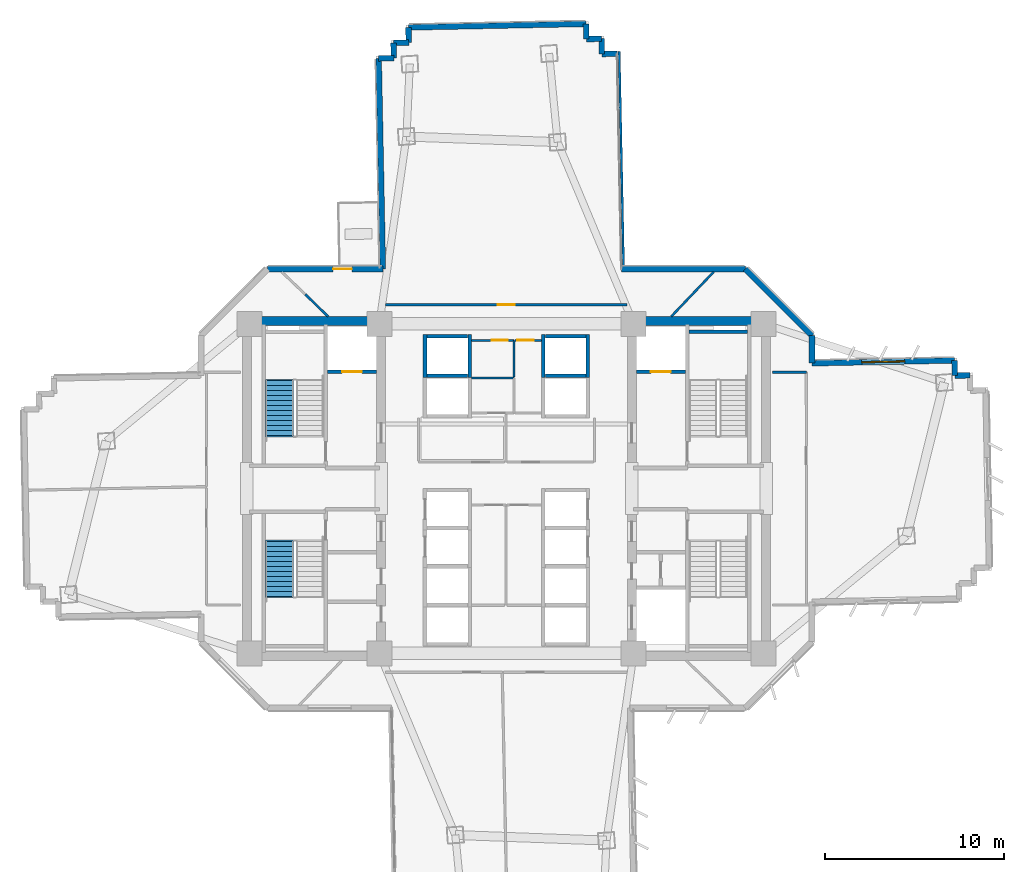
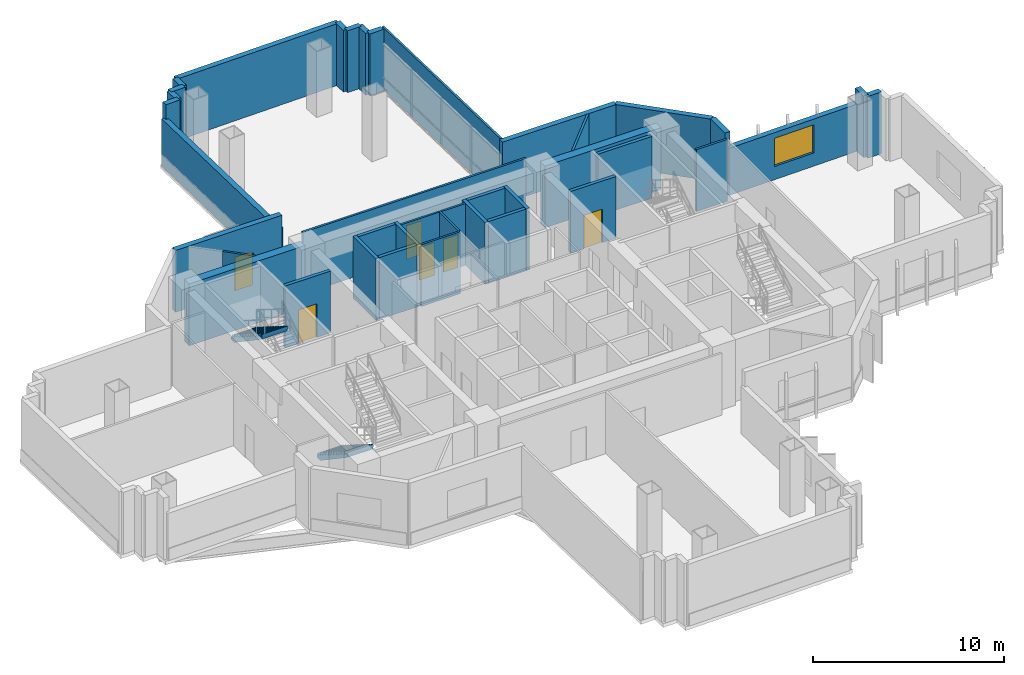
# One storey, part 9 of 15: 39 walls, 6 doors, 2 stair flights, 1 window, 7 openings, 2 elements without a shape of their own.
"""IFC4 building model written with IfcOpenShell, lengths in metres."""

import ifcopenshell
import ifcopenshell.guid

model = None  # the IFC model being written
_history = None  # IfcOwnerHistory: only IFC2X3 demands one
_inside = {}  # id of a spatial element -> (the spatial element, [elements in it])
_under = {}  # id of a project, library or spatial element -> (it, [spatial elements below it])
_declared = {}  # id of a project -> (the project, [libraries it declares])
_typed = {}  # id of a type object -> (the type object, [elements of that type])
_made_of = {}  # id of a material, layer set ... -> (it, [elements and type objects made of it])


def new_model(schema):
    """Start an empty IFC model of exactly this schema.

    Asked for "IFC4X3", IfcOpenShell would pick the latest addendum, in which some entities
    have other attributes; the version numbers below select the first issue.
    IFC2X3 requires an IfcOwnerHistory on every rooted entity: one is made here for all.
    """
    global model, _history
    if schema == "IFC4X3":
        model = ifcopenshell.file(schema_version=(4, 3, 0, 0))
    else:
        model = ifcopenshell.file(schema=schema)
    _inside.clear()
    _under.clear()
    _declared.clear()
    _typed.clear()
    _made_of.clear()
    _history = None
    if model.schema == "IFC2X3":
        org = make("IfcOrganization", Name="unknown")
        user = make(
            "IfcPersonAndOrganization",
            ThePerson=make("IfcPerson", FamilyName="unknown"),
            TheOrganization=org,
        )
        app = make(
            "IfcApplication",
            ApplicationDeveloper=org,
            Version="unknown",
            ApplicationFullName="unknown",
            ApplicationIdentifier="unknown",
        )
        _history = make(
            "IfcOwnerHistory",
            OwningUser=user,
            OwningApplication=app,
            ChangeAction="ADDED",
            CreationDate=0,
        )
    return model


def make(cls, **values):
    """One entity of the class cls with the attributes given. An attribute that is None is left unset."""
    return model.create_entity(
        cls, **{name: value for name, value in values.items() if value is not None}
    )


def rooted(cls, **values):
    """An entity with a GlobalId (a new one), such as an element, a storey or a relation."""
    return make(cls, GlobalId=ifcopenshell.guid.new(), OwnerHistory=_history, **values)


def si_unit(unit_type, name, prefix=None):
    """IfcSIUnit, for example si_unit("LENGTHUNIT", "METRE", prefix="MILLI")."""
    return make("IfcSIUnit", UnitType=unit_type, Prefix=prefix, Name=name)


def assignment(units):
    """IfcUnitAssignment: the units of a project."""
    return None if units is None else make("IfcUnitAssignment", Units=units)


def point(xyz):
    """IfcCartesianPoint."""
    return None if xyz is None else make("IfcCartesianPoint", Coordinates=xyz)


def direction(xyz):
    """IfcDirection."""
    return None if xyz is None else make("IfcDirection", DirectionRatios=xyz)


def frame(location, z_axis=None, x_axis=None):
    """IfcAxis2Placement3D, a coordinate frame: its origin and axes. An axis left out is left unset."""
    return make(
        "IfcAxis2Placement3D",
        Location=point(location),
        Axis=direction(z_axis),
        RefDirection=direction(x_axis),
    )


def frame_2d(location, x_axis=None):
    """IfcAxis2Placement2D, a coordinate frame in the plane: its origin and x axis."""
    return make(
        "IfcAxis2Placement2D", Location=point(location), RefDirection=direction(x_axis)
    )


def origin():
    """The frame at (0, 0, 0) with its axes left unset."""
    return frame((0.0, 0.0, 0.0))


def place(relative_to, where):
    """IfcLocalPlacement: puts the frame where relative to a parent placement (None: the world)."""
    return make(
        "IfcLocalPlacement", PlacementRelTo=relative_to, RelativePlacement=where
    )


def context(
    kind, dimensions, precision=None, world=None, true_north=None, identifier=None
):
    """IfcGeometricRepresentationContext, for example the 3D "Model" context."""
    return make(
        "IfcGeometricRepresentationContext",
        ContextIdentifier=identifier,
        ContextType=kind,
        CoordinateSpaceDimension=dimensions,
        Precision=precision,
        WorldCoordinateSystem=world,
        TrueNorth=true_north,
    )


def subcontext(parent, identifier, kind, view, scale=None):
    """IfcGeometricRepresentationSubContext, for example "Body" below "Model"."""
    return make(
        "IfcGeometricRepresentationSubContext",
        ContextIdentifier=identifier,
        ContextType=kind,
        ParentContext=parent,
        TargetScale=scale,
        TargetView=view,
    )


def project(units=None, contexts=None):
    """IfcProject with its units and contexts."""
    return rooted(
        "IfcProject",
        Name="project",
        RepresentationContexts=contexts,
        UnitsInContext=assignment(units),
    )


def spatial(cls, under=None, at=None, **own):
    """A site, building, storey or space (cls), placed at a placement, below another one or the project."""
    s = rooted(cls, ObjectPlacement=at, **own)
    if under is not None:
        _under.setdefault(under.id(), (under, []))[1].append(s)
    return s


def polyline(points):
    """IfcPolyline through the points."""
    return make("IfcPolyline", Points=[point(p) for p in points])


def profile(cls, at=None, kind="AREA", **sizes):
    """A parametric profile (cls). Its sizes go by their IFC names, for example OverallWidth=200.0."""
    return make(cls, ProfileType=kind, Position=at, **sizes)


def rectangle(**sizes):
    """IfcRectangleProfileDef."""
    return profile("IfcRectangleProfileDef", **sizes)


def outline(outer, holes=None, kind="AREA"):
    """IfcArbitraryClosedProfileDef: a profile drawn as a closed curve; with holes, ...WithVoids."""
    if holes is None:
        return make("IfcArbitraryClosedProfileDef", ProfileType=kind, OuterCurve=outer)
    return make(
        "IfcArbitraryProfileDefWithVoids",
        ProfileType=kind,
        OuterCurve=outer,
        InnerCurves=holes,
    )


def extrude(swept, where, along, depth):
    """IfcExtrudedAreaSolid: the profile swept, set in the frame where, extruded along a direction by depth."""
    return make(
        "IfcExtrudedAreaSolid",
        SweptArea=swept,
        Position=where,
        ExtrudedDirection=direction(along),
        Depth=depth,
    )


def shape(context_of_items, identifier, shape_type, items):
    """IfcShapeRepresentation: the items that make up one representation, for example the "Body"."""
    return make(
        "IfcShapeRepresentation",
        ContextOfItems=context_of_items,
        RepresentationIdentifier=identifier,
        RepresentationType=shape_type,
        Items=items,
    )


def source(mapping_origin, context_of_items, identifier, shape_type, items):
    """IfcRepresentationMap: a shape defined once, which mapped items show again and again."""
    return make(
        "IfcRepresentationMap",
        MappingOrigin=mapping_origin,
        MappedRepresentation=shape(context_of_items, identifier, shape_type, items),
    )


def transform(
    local_origin,
    x_axis=None,
    y_axis=None,
    z_axis=None,
    scale=None,
    scale2=None,
    scale3=None,
    uniform=True,
):
    """IfcCartesianTransformationOperator3D, or its non-uniform kind. x_axis, y_axis, z_axis: its Axis1, 2, 3."""
    if uniform:
        return make(
            "IfcCartesianTransformationOperator3D",
            Axis1=direction(x_axis),
            Axis2=direction(y_axis),
            LocalOrigin=point(local_origin),
            Scale=scale,
            Axis3=direction(z_axis),
        )
    return make(
        "IfcCartesianTransformationOperator3DnonUniform",
        Axis1=direction(x_axis),
        Axis2=direction(y_axis),
        LocalOrigin=point(local_origin),
        Scale=scale,
        Axis3=direction(z_axis),
        Scale2=scale2,
        Scale3=scale3,
    )


def mapped(mapping_source, mapping_target):
    """IfcMappedItem: shows the shape of a source again, moved by a transform."""
    return make(
        "IfcMappedItem", MappingSource=mapping_source, MappingTarget=mapping_target
    )


def material(Name=None, Category=None):
    """IfcMaterial."""
    return make("IfcMaterial", Name=Name, Category=Category)


def layer(
    of_material, thickness, ventilated=None, Name=None, Category=None, Priority=None
):
    """IfcMaterialLayer: one layer of a wall or slab, of a material (None: an air gap)."""
    return make(
        "IfcMaterialLayer",
        Material=of_material,
        LayerThickness=thickness,
        IsVentilated=ventilated,
        Name=Name,
        Category=Category,
        Priority=Priority,
    )


def layer_set(layers, Name=None):
    """IfcMaterialLayerSet."""
    return make("IfcMaterialLayerSet", MaterialLayers=layers, LayerSetName=Name)


def made_of(thing, what):
    """Note that an element or type object is made of a material, layer set ...; save() writes the relation."""
    if what is not None:
        _made_of.setdefault(what.id(), (what, []))[1].append(thing)
    return thing


def type_object(cls, material=None, **own):
    """A type object (cls), such as IfcWallType, which elements share."""
    return made_of(rooted(cls, **own), material)


def element(
    cls,
    number,
    at=None,
    inside=None,
    cuts=None,
    type_object=None,
    material=None,
    context=None,
    identifier="Body",
    shape_type=None,
    held_by="IfcProductDefinitionShape",
    body=None,
    shapes=None,
    **own,
):
    """One element of the class cls, such as IfcWall. Its Tag is "e" and its number.

    at: its placement. inside: the storey or other place that contains it. cuts: it is an
    opening in that element (IfcRelVoidsElement). A single representation is given by context,
    identifier, shape_type and body (its items); several are given by shapes. held_by: the class
    of the entity that holds the representations. save() writes the other relations.
    """
    e = rooted(cls, Tag="e%d" % number, ObjectPlacement=at, **own)
    if body is not None:
        shapes = [shape(context, identifier, shape_type, body)]
    if shapes is not None:
        e.Representation = make(held_by, Representations=shapes)
    if inside is not None:
        _inside.setdefault(inside.id(), (inside, []))[1].append(e)
    if cuts is not None:
        rooted(
            "IfcRelVoidsElement", RelatingBuildingElement=cuts, RelatedOpeningElement=e
        )
    if type_object is not None:
        _typed.setdefault(type_object.id(), (type_object, []))[1].append(e)
    return made_of(e, material)


def fill(opening, filler):
    """IfcRelFillsElement: the door or window that sits in an opening."""
    return rooted(
        "IfcRelFillsElement",
        RelatingOpeningElement=opening,
        RelatedBuildingElement=filler,
    )


def aggregate(whole, parts):
    """IfcRelAggregates: a whole, such as a stair, and the parts it consists of."""
    return rooted("IfcRelAggregates", RelatingObject=whole, RelatedObjects=parts)


def save(model, path):
    """Write the relations noted so far, then the file.

    IfcRelAggregates (storeys below a building ...), IfcRelContainedInSpatialStructure (elements
    in a storey), IfcRelDefinesByType, IfcRelAssociatesMaterial and IfcRelDeclares: one each for
    every whole, place, type object, material and project.
    """
    for whole, parts in _under.values():
        aggregate(whole, parts)
    for where, things in _inside.values():
        rooted(
            "IfcRelContainedInSpatialStructure",
            RelatedElements=things,
            RelatingStructure=where,
        )
    for kind, things in _typed.values():
        rooted("IfcRelDefinesByType", RelatedObjects=things, RelatingType=kind)
    for what, things in _made_of.values():
        rooted("IfcRelAssociatesMaterial", RelatedObjects=things, RelatingMaterial=what)
    for by, libraries in _declared.values():
        rooted("IfcRelDeclares", RelatingContext=by, RelatedDefinitions=libraries)
    model.write(path)


model = new_model("IFC4")

# Units and contexts
model_context = context("Model", 3, precision=1e-05, world=origin(), true_north=direction((0.0, 1.0)))
body_context = subcontext(model_context, "Body", "Model", "MODEL_VIEW")
ifc_project = project(units=[si_unit("LENGTHUNIT", "METRE"), si_unit("AREAUNIT", "SQUARE_METRE"), si_unit("VOLUMEUNIT", "CUBIC_METRE"), si_unit("PLANEANGLEUNIT", "RADIAN"), si_unit("MASSUNIT", "GRAM", prefix="KILO")], contexts=[model_context])

# Site, building, storey
site_placement = place(None, origin())
site = spatial("IfcSite", under=ifc_project, at=site_placement, CompositionType="ELEMENT")
building_placement = place(site_placement, origin())
building = spatial("IfcBuilding", under=site, at=building_placement, Name="Zahravan Cultural Tower", CompositionType="ELEMENT")
storey_placement = place(building_placement, frame((0.0, 0.0, 50.10009765625)))
storey = spatial("IfcBuildingStorey", under=building, at=storey_placement, Name="L10", CompositionType="ELEMENT", Elevation=50.10009765625)

# Wall, opening, window
ifc_material_1 = material(Name="Precast concrete C40/50", Category="concrete")
ifc_layer_1 = layer(ifc_material_1, 0.320068359375)
ifc_layer_set_1 = layer_set([ifc_layer_1], Name="Precast concrete C40/50")
wall_type_1 = type_object("IfcWallType", Name="EW-TC-320", PredefinedType="SOLIDWALL", material=ifc_layer_set_1)
wall_1_placement = place(storey_placement, frame((53.06005859375, 34.000732421875, 0.0), z_axis=(0.0, 0.0, 1.0), x_axis=(0.999802065132, 0.019895490902, 0.0)))
wall_1 = element("IfcWall", 1, at=wall_1_placement, inside=storey, type_object=wall_type_1, Name="L10 Exterior Masonry Frame Wall 01", PredefinedType="SOLIDWALL", context=body_context, shape_type="SweptSolid", body=[
    extrude(rectangle(XDim=7.9638671875, YDim=0.320068359375, at=frame_2d((3.98193359375, 0.0))), origin(), (0.0, 0.0, 1.0), 3.010009765625),
])
opening_1_placement = place(wall_1_placement, frame((2.781982421875, 0.0, 0.85009765625)))
opening_1 = element("IfcOpeningElement", 2, at=opening_1_placement, cuts=wall_1, Name="Opening WN-01", PredefinedType="OPENING", context=body_context, shape_type="SweptSolid", body=[
    extrude(rectangle(XDim=2.39990234375, YDim=1.800048828125, at=frame_2d((1.199951171875, 0.89990234375))), frame((0.0, 0.169921875, 0.0), z_axis=(0.0, -1.0, 0.0), x_axis=(1.0, 0.0, 0.0)), (0.0, 0.0, 1.0), 0.340087890625),
])
ifc_material_2 = material(Name="Low-E solar-control double glazing", Category="glass")
window_type = type_object("IfcWindowType", Name="WN-REC-2400X1800", PartitioningType="DOUBLE_PANEL_VERTICAL", PredefinedType="WINDOW", material=ifc_material_2)
shared_shape_1 = source(origin(), body_context, "Body", "SweptSolid", [
    extrude(rectangle(XDim=2.39990234375, YDim=1.800048828125, at=frame_2d((1.199951171875, 0.89990234375))), frame((0.0, 0.030029296875, 0.0), z_axis=(0.0, -1.0, 0.0), x_axis=(1.0, 0.0, 0.0)), (0.0, 0.0, 1.0), 0.06005859375),
])
window_placement = place(opening_1_placement, origin())
window = element("IfcWindow", 3, at=window_placement, inside=storey, type_object=window_type, Name="L10 Recessed Solar Window 01", OverallHeight=1.800048828125, OverallWidth=2.39990234375, PartitioningType="DOUBLE_PANEL_VERTICAL", PredefinedType="WINDOW", context=body_context, shape_type="MappedRepresentation", body=[
    mapped(shared_shape_1, transform((0.0, 0.0, 0.0), x_axis=(1.0, 0.0, 0.0), y_axis=(0.0, 1.0, 0.0), z_axis=(0.0, 0.0, 1.0), scale=1.0)),
])
fill(opening_1, window)

# Wall, opening, door
wall_2_placement = place(storey_placement, frame((22.657958984375, 39.260009765625, 0.0), z_axis=(0.0, 0.0, 1.0), x_axis=(1.0, 0.0, 0.0)))
wall_2 = element("IfcWall", 4, at=wall_2_placement, inside=storey, type_object=wall_type_1, Name="L10 Exterior Masonry Frame Wall 41", PredefinedType="SOLIDWALL", context=body_context, shape_type="SweptSolid", body=[
    extrude(rectangle(XDim=6.436767578125, YDim=0.320068359375, at=frame_2d((3.21826171875, 0.0))), origin(), (0.0, 0.0, 1.0), 3.949951171875),
])
opening_2_placement = place(wall_2_placement, frame((3.6630859375, 0.0, 0.0)))
opening_2 = element("IfcOpeningElement", 5, at=opening_2_placement, cuts=wall_2, Name="Opening D-L10-TR-NW", PredefinedType="OPENING", context=body_context, shape_type="SweptSolid", body=[
    extrude(rectangle(XDim=1.050048828125, YDim=2.14990234375, at=frame_2d((0.52490234375, 1.074951171875))), frame((0.0, 0.169921875, 0.0), z_axis=(0.0, -1.0, 0.0), x_axis=(1.0, 0.0, 0.0)), (0.0, 0.0, 1.0), 0.340087890625),
])
ifc_material_3 = material(Name="Anodised bronze-aluminium mullion", Category="aluminium")
door_type_1 = type_object("IfcDoorType", Name="DR-TERR-1050", OperationType="NOTDEFINED", PredefinedType="DOOR", material=ifc_material_3)
shared_shape_2 = source(origin(), body_context, "Body", "SweptSolid", [
    extrude(rectangle(XDim=1.050048828125, YDim=2.14990234375, at=frame_2d((0.52490234375, 1.074951171875))), frame((0.0, 0.02490234375, 0.0), z_axis=(0.0, -1.0, 0.0), x_axis=(1.0, 0.0, 0.0)), (0.0, 0.0, 1.0), 0.050048828125),
])
door_1_placement = place(opening_2_placement, origin())
door_1 = element("IfcDoor", 6, at=door_1_placement, inside=storey, type_object=door_type_1, Name="L10 Terrace Access Door NW", OperationType="SINGLE_SWING_LEFT", OverallHeight=2.14990234375, OverallWidth=1.050048828125, PredefinedType="DOOR", context=body_context, shape_type="MappedRepresentation", body=[
    mapped(shared_shape_2, transform((0.0, 0.0, 0.0), x_axis=(1.0, 0.0, 0.0), y_axis=(0.0, 1.0, 0.0), z_axis=(0.0, 0.0, 1.0), scale=1.0)),
])
fill(opening_2, door_1)

ifc_material_4 = material(Name="Gypsum plasterboard partition")
ifc_layer_2 = layer(ifc_material_4, 0.125)
ifc_layer_set_2 = layer_set([ifc_layer_2], Name="Gypsum plasterboard partition")
wall_type_2 = type_object("IfcWallType", Name="W-PART-125", PredefinedType="PARTITIONING", material=ifc_layer_set_2)
wall_3_placement = place(storey_placement, frame((42.744140625, 37.260009765625, 0.0), z_axis=(0.0, 0.0, 1.0), x_axis=(-0.999999999345, -3.6194509e-05, 0.0)))
wall_3 = element("IfcWall", 7, at=wall_3_placement, inside=storey, type_object=wall_type_2, Name="L10 Interior Wall 104", PredefinedType="PARTITIONING", context=body_context, shape_type="SweptSolid", body=[
    extrude(rectangle(XDim=13.490478515625, YDim=0.125, at=frame_2d((6.7451171875, 0.0))), origin(), (0.0, 0.0, 1.0), 3.949951171875),
])
opening_3_placement = place(wall_3_placement, frame((6.270263671875, 0.0, 0.0)))
opening_3 = element("IfcOpeningElement", 8, at=opening_3_placement, cuts=wall_3, Name="Opening D-L10-20", PredefinedType="OPENING", context=body_context, shape_type="SweptSolid", body=[
    extrude(rectangle(XDim=0.949951171875, YDim=2.14990234375, at=frame_2d((0.47509765625, 1.074951171875))), frame((0.0, 0.072509765625, 0.0), z_axis=(0.0, -1.0, 0.0), x_axis=(1.0, 0.0, 0.0)), (0.0, 0.0, 1.0), 0.14501953125),
])
door_type_2 = type_object("IfcDoorType", Name="DR-ROOM-950", OperationType="NOTDEFINED", PredefinedType="DOOR", material=ifc_material_3)
shared_shape_3 = source(origin(), body_context, "Body", "SweptSolid", [
    extrude(rectangle(XDim=0.949951171875, YDim=2.14990234375, at=frame_2d((0.47509765625, 1.074951171875))), frame((0.0, 0.02490234375, 0.0), z_axis=(0.0, -1.0, 0.0), x_axis=(1.0, 0.0, 0.0)), (0.0, 0.0, 1.0), 0.050048828125),
])
door_2_placement = place(opening_3_placement, origin())
door_2 = element("IfcDoor", 9, at=door_2_placement, inside=storey, type_object=door_type_2, Name="L10 Door D-L10-20", OperationType="SINGLE_SWING_LEFT", OverallHeight=2.14990234375, OverallWidth=0.949951171875, PredefinedType="DOOR", context=body_context, shape_type="MappedRepresentation", body=[
    mapped(shared_shape_3, transform((0.0, 0.0, 0.0), x_axis=(1.0, 0.0, 0.0), y_axis=(0.0, 1.0, 0.0), z_axis=(0.0, 0.0, 1.0), scale=1.0)),
])
fill(opening_3, door_2)

ifc_material_5 = material(Name="Concrete C45/55", Category="concrete")
ifc_layer_3 = layer(ifc_material_5, 0.199951171875)
ifc_layer_set_3 = layer_set([ifc_layer_3], Name="Concrete C45/55")
wall_type_3 = type_object("IfcWallType", Name="W-SHAFT-200", PredefinedType="SOLIDWALL", material=ifc_layer_set_3)
wall_4_placement = place(storey_placement, frame((26.0, 33.52001953125, 0.0), z_axis=(0.0, 0.0, 1.0), x_axis=(1.0, 0.0, 0.0)))
wall_4 = element("IfcWall", 10, at=wall_4_placement, inside=storey, type_object=wall_type_3, Name="L10 Interior Wall 021", PredefinedType="SOLIDWALL", context=body_context, shape_type="SweptSolid", body=[
    extrude(rectangle(XDim=2.75, YDim=0.199951171875, at=frame_2d((1.375, 0.0))), origin(), (0.0, 0.0, 1.0), 3.949951171875),
])
opening_4_placement = place(wall_4_placement, frame((0.820068359375, 0.0, 0.0)))
opening_4 = element("IfcOpeningElement", 11, at=opening_4_placement, cuts=wall_4, Name="Opening LD-L10-01", PredefinedType="OPENING", context=body_context, shape_type="SweptSolid", body=[
    extrude(rectangle(XDim=1.10009765625, YDim=2.14990234375, at=frame_2d((0.550048828125, 1.074951171875))), frame((0.0, 0.10986328125, 0.0), z_axis=(0.0, -1.0, 0.0), x_axis=(1.0, 0.0, 0.0)), (0.0, 0.0, 1.0), 0.219970703125),
])
ifc_material_6 = material(Name="Steel ASTM A572 Grade 50", Category="steel")
door_type_3 = type_object("IfcDoorType", Name="DR-LIFT-1100", OperationType="DOUBLE_DOOR_SLIDING", PredefinedType="DOOR", material=ifc_material_6)
shared_shape_4 = source(origin(), body_context, "Body", "SweptSolid", [
    extrude(rectangle(XDim=1.10009765625, YDim=2.14990234375, at=frame_2d((0.550048828125, 1.074951171875))), frame((0.0, 0.02490234375, 0.0), z_axis=(0.0, -1.0, 0.0), x_axis=(1.0, 0.0, 0.0)), (0.0, 0.0, 1.0), 0.050048828125),
])
door_3_placement = place(opening_4_placement, origin())
door_3 = element("IfcDoor", 12, at=door_3_placement, inside=storey, type_object=door_type_3, Name="L10 Door LD-L10-01", OperationType="DOUBLE_DOOR_SLIDING", OverallHeight=2.14990234375, OverallWidth=1.10009765625, PredefinedType="DOOR", context=body_context, shape_type="MappedRepresentation", body=[
    mapped(shared_shape_4, transform((0.0, 0.0, 0.0), x_axis=(1.0, 0.0, 0.0), y_axis=(0.0, 1.0, 0.0), z_axis=(0.0, 0.0, 1.0), scale=1.0)),
])
fill(opening_4, door_3)

wall_5_placement = place(storey_placement, frame((43.25, 33.52001953125, 0.0), z_axis=(0.0, 0.0, 1.0), x_axis=(1.0, 0.0, 0.0)))
wall_5 = element("IfcWall", 13, at=wall_5_placement, inside=storey, type_object=wall_type_3, Name="L10 Interior Wall 022", PredefinedType="SOLIDWALL", context=body_context, shape_type="SweptSolid", body=[
    extrude(rectangle(XDim=2.75, YDim=0.199951171875, at=frame_2d((1.375, 0.0))), origin(), (0.0, 0.0, 1.0), 3.949951171875),
])
opening_5_placement = place(wall_5_placement, frame((0.820068359375, 0.0, 0.0)))
opening_5 = element("IfcOpeningElement", 14, at=opening_5_placement, cuts=wall_5, Name="Opening LD-L10-02", PredefinedType="OPENING", context=body_context, shape_type="SweptSolid", body=[
    extrude(rectangle(XDim=1.10009765625, YDim=2.14990234375, at=frame_2d((0.550048828125, 1.074951171875))), frame((0.0, 0.10986328125, 0.0), z_axis=(0.0, -1.0, 0.0), x_axis=(1.0, 0.0, 0.0)), (0.0, 0.0, 1.0), 0.219970703125),
])
door_4_placement = place(opening_5_placement, origin())
door_4 = element("IfcDoor", 15, at=door_4_placement, inside=storey, type_object=door_type_3, Name="L10 Door LD-L10-02", OperationType="DOUBLE_DOOR_SLIDING", OverallHeight=2.14990234375, OverallWidth=1.10009765625, PredefinedType="DOOR", context=body_context, shape_type="MappedRepresentation", body=[
    mapped(shared_shape_4, transform((0.0, 0.0, 0.0), x_axis=(1.0, 0.0, 0.0), y_axis=(0.0, 1.0, 0.0), z_axis=(0.0, 0.0, 1.0), scale=1.0)),
])
fill(opening_5, door_4)

ifc_layer_4 = layer(ifc_material_4, 0.114990234375)
ifc_layer_set_4 = layer_set([ifc_layer_4], Name="Gypsum plasterboard partition")
wall_type_4 = type_object("IfcWallType", Name="W-WC-115", PredefinedType="PARTITIONING", material=ifc_layer_set_4)
wall_6_placement = place(storey_placement, frame((34.054931640625, 35.280029296875, 0.0), z_axis=(0.0, 0.0, 1.0), x_axis=(1.0, 0.0, 0.0)))
wall_6 = element("IfcWall", 16, at=wall_6_placement, inside=storey, type_object=wall_type_4, Name="L10 Interior Wall 071", PredefinedType="PARTITIONING", context=body_context, shape_type="SweptSolid", body=[
    extrude(rectangle(XDim=2.35498046875, YDim=0.114990234375, at=frame_2d((1.177490234375, 0.0))), origin(), (0.0, 0.0, 1.0), 3.949951171875),
])
opening_6_placement = place(wall_6_placement, frame((1.120849609375, 0.0, 0.0)))
opening_6 = element("IfcOpeningElement", 17, at=opening_6_placement, cuts=wall_6, Name="Opening D-L10-13", PredefinedType="OPENING", context=body_context, shape_type="SweptSolid", body=[
    extrude(rectangle(XDim=0.89990234375, YDim=2.10009765625, at=frame_2d((0.449951171875, 1.050048828125))), frame((0.0, 0.0673828125, 0.0), z_axis=(0.0, -1.0, 0.0), x_axis=(1.0, 0.0, 0.0)), (0.0, 0.0, 1.0), 0.135009765625),
])
door_type_4 = type_object("IfcDoorType", Name="DR-WC-900", OperationType="NOTDEFINED", PredefinedType="DOOR", material=ifc_material_3)
shared_shape_5 = source(origin(), body_context, "Body", "SweptSolid", [
    extrude(rectangle(XDim=0.89990234375, YDim=2.10009765625, at=frame_2d((0.449951171875, 1.050048828125))), frame((0.0, 0.02490234375, 0.0), z_axis=(0.0, -1.0, 0.0), x_axis=(1.0, 0.0, 0.0)), (0.0, 0.0, 1.0), 0.050048828125),
])
door_5_placement = place(opening_6_placement, origin())
door_5 = element("IfcDoor", 18, at=door_5_placement, inside=storey, type_object=door_type_4, Name="L10 Door D-L10-13", OperationType="SINGLE_SWING_RIGHT", OverallHeight=2.10009765625, OverallWidth=0.89990234375, PredefinedType="DOOR", context=body_context, shape_type="MappedRepresentation", body=[
    mapped(shared_shape_5, transform((0.0, 0.0, 0.0), x_axis=(1.0, 0.0, 0.0), y_axis=(0.0, 1.0, 0.0), z_axis=(0.0, 0.0, 1.0), scale=1.0)),
])
fill(opening_6, door_5)

wall_7_placement = place(storey_placement, frame((36.472412109375, 35.280029296875, 0.0), z_axis=(0.0, 0.0, 1.0), x_axis=(1.0, 0.0, 0.0)))
wall_7 = element("IfcWall", 19, at=wall_7_placement, inside=storey, type_object=wall_type_4, Name="L10 Interior Wall 074", PredefinedType="PARTITIONING", context=body_context, shape_type="SweptSolid", body=[
    extrude(rectangle(XDim=1.47265625, YDim=0.114990234375, at=frame_2d((0.736328125, 0.0))), origin(), (0.0, 0.0, 1.0), 3.949951171875),
])
opening_7_placement = place(wall_7_placement, frame((0.139892578125, 0.0, 0.0)))
opening_7 = element("IfcOpeningElement", 20, at=opening_7_placement, cuts=wall_7, Name="Opening D-L10-14", PredefinedType="OPENING", context=body_context, shape_type="SweptSolid", body=[
    extrude(rectangle(XDim=0.89990234375, YDim=2.10009765625, at=frame_2d((0.449951171875, 1.050048828125))), frame((0.0, 0.0673828125, 0.0), z_axis=(0.0, -1.0, 0.0), x_axis=(1.0, 0.0, 0.0)), (0.0, 0.0, 1.0), 0.135009765625),
])
door_6_placement = place(opening_7_placement, origin())
door_6 = element("IfcDoor", 21, at=door_6_placement, inside=storey, type_object=door_type_4, Name="L10 Door D-L10-14", OperationType="SINGLE_SWING_LEFT", OverallHeight=2.10009765625, OverallWidth=0.89990234375, PredefinedType="DOOR", context=body_context, shape_type="MappedRepresentation", body=[
    mapped(shared_shape_5, transform((0.0, 0.0, 0.0), x_axis=(1.0, 0.0, 0.0), y_axis=(0.0, 1.0, 0.0), z_axis=(0.0, 0.0, 1.0), scale=1.0)),
])
fill(opening_7, door_6)

# Walls
ifc_material_7 = material(Name="Concrete C60/75", Category="concrete")
ifc_layer_5 = layer(ifc_material_7, 0.5)
ifc_layer_set_5 = layer_set([ifc_layer_5], Name="Concrete C60/75")
wall_type_5 = type_object("IfcWallType", Name="CW-SHEAR-500-C60", PredefinedType="SHEAR", material=ifc_layer_set_5)
shared_shape_6 = source(origin(), body_context, "Body", "SweptSolid", [
    extrude(rectangle(XDim=7.0, YDim=0.5, at=frame_2d((3.5, 0.0))), origin(), (0.0, 0.0, 1.0), 3.949951171875),
])
for number, where, z_axis, x_axis, name in (
    (22, (21.75, 36.35009765625, 0.0), (0.0, 0.0, 1.0), (1.0, 0.0, 0.0), "L10 Core Shear Wall CW-W-N-L10"),
    (23, (43.25, 36.35009765625, 0.0), (0.0, 0.0, 1.0), (1.0, 0.0, 0.0), "L10 Core Shear Wall CW-E-N-L10"),
):
    element("IfcWall", number, at=place(storey_placement, frame(where, z_axis=z_axis, x_axis=x_axis)), inside=storey, type_object=wall_type_5, Name=name, PredefinedType="SHEAR", context=body_context, shape_type="MappedRepresentation", body=[
        mapped(shared_shape_6, transform((0.0, 0.0, 0.0), x_axis=(1.0, 0.0, 0.0), y_axis=(0.0, 1.0, 0.0), z_axis=(0.0, 0.0, 1.0), scale=1.0)),
    ])
shared_shape_7 = source(origin(), body_context, "Body", "SweptSolid", [
    extrude(rectangle(XDim=0.849853515625, YDim=0.320068359375, at=frame_2d((0.4248046875, 0.0))), origin(), (0.0, 0.0, 1.0), 3.949951171875),
])
wall_8_placement = place(storey_placement, frame((30.54345703125, 51.906494140625, 0.0), z_axis=(0.0, 0.0, 1.0), x_axis=(-0.019823689915, 0.999803491351, 0.0)))
element("IfcWall", 24, at=wall_8_placement, inside=storey, type_object=wall_type_1, Name="L10 Exterior Masonry Frame Wall 46", PredefinedType="SOLIDWALL", context=body_context, shape_type="MappedRepresentation", body=[
    mapped(shared_shape_7, transform((0.0, 0.0, 0.0), x_axis=(1.0, 0.0, 0.0), y_axis=(0.0, 1.0, 0.0), z_axis=(0.0, 0.0, 1.0), scale=1.0)),
])
shared_shape_8 = source(origin(), body_context, "Body", "SweptSolid", [
    extrude(rectangle(XDim=0.85009765625, YDim=0.320068359375, at=frame_2d((0.425048828125, 0.0))), origin(), (0.0, 0.0, 1.0), 3.949951171875),
])
for number, where, z_axis, x_axis, name in (
    (25, (61.0224609375, 34.1591796875, 0.0), (0.0, 0.0, 1.0), (0.019817997326, -0.999803604205, 0.0), "L10 Exterior Masonry Frame Wall 02"),
    (26, (61.039306640625, 33.309326171875, 0.0), (0.0, 0.0, 1.0), (0.999797872061, 0.020105099409, 0.0), "L10 Exterior Masonry Frame Wall 03"),
    (27, (28.860595703125, 51.022705078125, 0.0), (0.0, 0.0, 1.0), (0.999803604205, 0.019817997326, 0.0), "L10 Exterior Masonry Frame Wall 43"),
    (28, (29.71044921875, 51.03955078125, 0.0), (0.0, 0.0, 1.0), (-0.019817997326, 0.999803604205, 0.0), "L10 Exterior Masonry Frame Wall 44"),
    (29, (29.693603515625, 51.889404296875, 0.0), (0.0, 0.0, 1.0), (0.999797872061, 0.020105099409, 0.0), "L10 Exterior Masonry Frame Wall 45"),
    (30, (40.444580078125, 52.95361328125, 0.0), (0.0, 0.0, 1.0), (0.019817997326, -0.999803604205, 0.0), "L10 Exterior Masonry Frame Wall 48"),
    (31, (40.46142578125, 52.103759765625, 0.0), (0.0, 0.0, 1.0), (0.999803604205, 0.019817997326, 0.0), "L10 Exterior Masonry Frame Wall 49"),
    (32, (41.311279296875, 52.12060546875, 0.0), (0.0, 0.0, 1.0), (0.019817997326, -0.999803604205, 0.0), "L10 Exterior Masonry Frame Wall 50"),
    (33, (41.328125, 51.270751953125, 0.0), (0.0, 0.0, 1.0), (0.999803604205, 0.019817997326, 0.0), "L10 Exterior Masonry Frame Wall 51"),
):
    element("IfcWall", number, at=place(storey_placement, frame(where, z_axis=z_axis, x_axis=x_axis)), inside=storey, type_object=wall_type_1, Name=name, PredefinedType="SOLIDWALL", context=body_context, shape_type="MappedRepresentation", body=[
        mapped(shared_shape_8, transform((0.0, 0.0, 0.0), x_axis=(1.0, 0.0, 0.0), y_axis=(0.0, 1.0, 0.0), z_axis=(0.0, 0.0, 1.0), scale=1.0)),
    ])
shared_shape_9 = source(origin(), body_context, "Body", "SweptSolid", [
    extrude(rectangle(XDim=9.919921875, YDim=0.320068359375, at=frame_2d((4.9599609375, 0.0))), origin(), (0.0, 0.0, 1.0), 3.949951171875),
])
wall_9_placement = place(storey_placement, frame((30.526611328125, 52.756103515625, 0.0), z_axis=(0.0, 0.0, 1.0), x_axis=(0.999801768563, 0.019910388705, 0.0)))
element("IfcWall", 34, at=wall_9_placement, inside=storey, type_object=wall_type_1, Name="L10 Exterior Masonry Frame Wall 47", PredefinedType="SOLIDWALL", context=body_context, shape_type="MappedRepresentation", body=[
    mapped(shared_shape_9, transform((0.0, 0.0, 0.0), x_axis=(1.0, 0.0, 0.0), y_axis=(0.0, 1.0, 0.0), z_axis=(0.0, 0.0, 1.0), scale=1.0)),
])
shared_shape_10 = source(origin(), body_context, "Body", "SweptSolid", [
    extrude(rectangle(XDim=5.258056640625, YDim=0.320068359375, at=frame_2d((2.62890625, 0.0))), origin(), (0.0, 0.0, 1.0), 3.949951171875),
])
wall_10_placement = place(storey_placement, frame((49.342041015625, 39.260009765625, 0.0), z_axis=(0.0, 0.0, 1.0), x_axis=(0.707106781187, -0.707106781187, 0.0)))
element("IfcWall", 35, at=wall_10_placement, inside=storey, type_object=wall_type_1, Name="L10 Exterior Masonry Frame Wall 53", PredefinedType="SOLIDWALL", context=body_context, shape_type="MappedRepresentation", body=[
    mapped(shared_shape_10, transform((0.0, 0.0, 0.0), x_axis=(1.0, 0.0, 0.0), y_axis=(0.0, 1.0, 0.0), z_axis=(0.0, 0.0, 1.0), scale=1.0)),
])
shared_shape_11 = source(origin(), body_context, "Body", "SweptSolid", [
    extrude(rectangle(XDim=1.541259765625, YDim=0.320068359375, at=frame_2d((0.7705078125, 0.0))), origin(), (0.0, 0.0, 1.0), 3.949951171875),
])
wall_11_placement = place(storey_placement, frame((53.06005859375, 35.5419921875, 0.0), z_axis=(0.0, 0.0, 1.0), x_axis=(0.0, -1.0, 0.0)))
element("IfcWall", 36, at=wall_11_placement, inside=storey, type_object=wall_type_1, Name="L10 Exterior Masonry Frame Wall 54", PredefinedType="SOLIDWALL", context=body_context, shape_type="MappedRepresentation", body=[
    mapped(shared_shape_11, transform((0.0, 0.0, 0.0), x_axis=(1.0, 0.0, 0.0), y_axis=(0.0, 1.0, 0.0), z_axis=(0.0, 0.0, 1.0), scale=1.0)),
])
shared_shape_12 = source(origin(), body_context, "Body", "SweptSolid", [
    extrude(rectangle(XDim=6.924560546875, YDim=0.320068359375, at=frame_2d((3.46240234375, 0.0))), origin(), (0.0, 0.0, 1.0), 3.949951171875),
])
wall_12_placement = place(storey_placement, frame((42.41748046875, 39.260009765625, 0.0), z_axis=(0.0, 0.0, 1.0), x_axis=(1.0, 0.0, 0.0)))
element("IfcWall", 37, at=wall_12_placement, inside=storey, type_object=wall_type_1, Name="L10 Exterior Masonry Frame Wall 52", PredefinedType="SOLIDWALL", context=body_context, shape_type="MappedRepresentation", body=[
    mapped(shared_shape_12, transform((0.0, 0.0, 0.0), x_axis=(1.0, 0.0, 0.0), y_axis=(0.0, 1.0, 0.0), z_axis=(0.0, 0.0, 1.0), scale=1.0)),
])
shared_shape_13 = source(origin(), body_context, "Body", "SweptSolid", [
    extrude(rectangle(XDim=11.76513671875, YDim=0.320068359375, at=frame_2d((5.882568359375, 0.0))), origin(), (0.0, 0.0, 1.0), 3.010009765625),
])
wall_13_placement = place(storey_placement, frame((29.0947265625, 39.260009765625, 0.0), z_axis=(0.0, 0.0, 1.0), x_axis=(-0.019900582882, 0.999801963791, 0.0)))
element("IfcWall", 38, at=wall_13_placement, inside=storey, type_object=wall_type_1, Name="L10 Exterior Masonry Frame Wall 42", PredefinedType="SOLIDWALL", context=body_context, shape_type="MappedRepresentation", body=[
    mapped(shared_shape_13, transform((0.0, 0.0, 0.0), x_axis=(1.0, 0.0, 0.0), y_axis=(0.0, 1.0, 0.0), z_axis=(0.0, 0.0, 1.0), scale=1.0)),
])
shared_shape_14 = source(origin(), body_context, "Body", "SweptSolid", [
    extrude(rectangle(XDim=3.25, YDim=0.199951171875, at=frame_2d((1.625, 0.0))), origin(), (0.0, 0.0, 1.0), 3.949951171875),
])
wall_14_placement = place(storey_placement, frame((46.199951171875, 35.75, 0.0), z_axis=(0.0, 0.0, 1.0), x_axis=(1.0, 0.0, 0.0)))
element("IfcWall", 39, at=wall_14_placement, inside=storey, type_object=wall_type_3, Name="L10 Interior Wall 018", PredefinedType="SOLIDWALL", context=body_context, shape_type="MappedRepresentation", body=[
    mapped(shared_shape_14, transform((0.0, 0.0, 0.0), x_axis=(1.0, 0.0, 0.0), y_axis=(0.0, 1.0, 0.0), z_axis=(0.0, 0.0, 1.0), scale=1.0)),
])
shared_shape_15 = source(origin(), body_context, "Body", "SweptSolid", [
    extrude(rectangle(XDim=2.400146484375, YDim=0.199951171875, at=frame_2d((1.2001953125, 0.0))), origin(), (0.0, 0.0, 1.0), 3.949951171875),
])
for number, where, z_axis, x_axis, name in (
    (40, (31.449951171875, 33.199951171875, 0.0), (0.0, 0.0, 1.0), (0.0, 1.0, 0.0), "L10 Interior Wall 028"),
    (41, (33.949951171875, 33.199951171875, 0.0), (0.0, 0.0, 1.0), (0.0, 1.0, 0.0), "L10 Interior Wall 029"),
    (42, (38.050048828125, 33.199951171875, 0.0), (0.0, 0.0, 1.0), (0.0, 1.0, 0.0), "L10 Interior Wall 035"),
    (43, (40.550048828125, 33.199951171875, 0.0), (0.0, 0.0, 1.0), (0.0, 1.0, 0.0), "L10 Interior Wall 036"),
):
    element("IfcWall", number, at=place(storey_placement, frame(where, z_axis=z_axis, x_axis=x_axis)), inside=storey, type_object=wall_type_3, Name=name, PredefinedType="SOLIDWALL", context=body_context, shape_type="MappedRepresentation", body=[
        mapped(shared_shape_15, transform((0.0, 0.0, 0.0), x_axis=(1.0, 0.0, 0.0), y_axis=(0.0, 1.0, 0.0), z_axis=(0.0, 0.0, 1.0), scale=1.0)),
    ])
shared_shape_16 = source(origin(), body_context, "Body", "SweptSolid", [
    extrude(rectangle(XDim=2.260009765625, YDim=0.199951171875, at=frame_2d((1.1298828125, 0.0))), origin(), (0.0, 0.0, 1.0), 3.949951171875),
])
for number, where, z_axis, x_axis, name in (
    (44, (31.570068359375, 33.300048828125, 0.0), (0.0, 0.0, 1.0), (1.0, 0.0, 0.0), "L10 Interior Wall 030"),
    (45, (31.570068359375, 35.5, 0.0), (0.0, 0.0, 1.0), (1.0, 0.0, 0.0), "L10 Interior Wall 031"),
    (46, (38.169921875, 33.300048828125, 0.0), (0.0, 0.0, 1.0), (1.0, 0.0, 0.0), "L10 Interior Wall 037"),
    (47, (38.169921875, 35.5, 0.0), (0.0, 0.0, 1.0), (1.0, 0.0, 0.0), "L10 Interior Wall 038"),
):
    element("IfcWall", number, at=place(storey_placement, frame(where, z_axis=z_axis, x_axis=x_axis)), inside=storey, type_object=wall_type_3, Name=name, PredefinedType="SOLIDWALL", context=body_context, shape_type="MappedRepresentation", body=[
        mapped(shared_shape_16, transform((0.0, 0.0, 0.0), x_axis=(1.0, 0.0, 0.0), y_axis=(0.0, 1.0, 0.0), z_axis=(0.0, 0.0, 1.0), scale=1.0)),
    ])
shared_shape_17 = source(origin(), body_context, "Body", "SweptSolid", [
    extrude(rectangle(XDim=2.35498046875, YDim=0.114990234375, at=frame_2d((1.177490234375, 0.0))), origin(), (0.0, 0.0, 1.0), 3.949951171875),
])
wall_15_placement = place(storey_placement, frame((34.054931640625, 33.179931640625, 0.0), z_axis=(0.0, 0.0, 1.0), x_axis=(1.0, 0.0, 0.0)))
element("IfcWall", 48, at=wall_15_placement, inside=storey, type_object=wall_type_4, Name="L10 Interior Wall 069", PredefinedType="PARTITIONING", context=body_context, shape_type="MappedRepresentation", body=[
    mapped(shared_shape_17, transform((0.0, 0.0, 0.0), x_axis=(1.0, 0.0, 0.0), y_axis=(0.0, 1.0, 0.0), z_axis=(0.0, 0.0, 1.0), scale=1.0)),
])
shared_shape_18 = source(origin(), body_context, "Body", "SweptSolid", [
    extrude(rectangle(XDim=2.0400390625, YDim=0.114990234375, at=frame_2d((1.02001953125, 0.0))), origin(), (0.0, 0.0, 1.0), 3.949951171875),
])
wall_16_placement = place(storey_placement, frame((36.409912109375, 35.280029296875, 0.0), z_axis=(0.0, 0.0, 1.0), x_axis=(0.0, -1.0, 0.0)))
element("IfcWall", 49, at=wall_16_placement, inside=storey, type_object=wall_type_4, Name="L10 Interior Wall 072", PredefinedType="PARTITIONING", context=body_context, shape_type="MappedRepresentation", body=[
    mapped(shared_shape_18, transform((0.0, 0.0, 0.0), x_axis=(1.0, 0.0, 0.0), y_axis=(0.0, 1.0, 0.0), z_axis=(0.0, 0.0, 1.0), scale=1.0)),
])
shared_shape_19 = source(origin(), body_context, "Body", "SweptSolid", [
    extrude(rectangle(XDim=1.77099609375, YDim=0.125, at=frame_2d((0.885498046875, 0.0))), origin(), (0.0, 0.0, 1.0), 3.949951171875),
])
wall_17_placement = place(storey_placement, frame((24.772216796875, 37.838134765625, 0.0), z_axis=(0.0, 0.0, 1.0), x_axis=(0.717777212316, -0.696272844135, 0.0)))
element("IfcWall", 50, at=wall_17_placement, inside=storey, type_object=wall_type_2, Name="L10 Interior Wall 088", PredefinedType="PARTITIONING", context=body_context, shape_type="MappedRepresentation", body=[
    mapped(shared_shape_19, transform((0.0, 0.0, 0.0), x_axis=(1.0, 0.0, 0.0), y_axis=(0.0, 1.0, 0.0), z_axis=(0.0, 0.0, 1.0), scale=1.0)),
])
shared_shape_20 = source(origin(), body_context, "Body", "SweptSolid", [
    extrude(rectangle(XDim=3.437744140625, YDim=0.125, at=frame_2d((1.71875, 0.0))), origin(), (0.0, 0.0, 1.0), 3.949951171875),
])
wall_18_placement = place(storey_placement, frame((45.19677734375, 36.60498046875, 0.0), z_axis=(0.0, 0.0, 1.0), x_axis=(0.689493786127, 0.724291597972, 0.0)))
element("IfcWall", 51, at=wall_18_placement, inside=storey, type_object=wall_type_2, Name="L10 Interior Wall 102", PredefinedType="PARTITIONING", context=body_context, shape_type="MappedRepresentation", body=[
    mapped(shared_shape_20, transform((0.0, 0.0, 0.0), x_axis=(1.0, 0.0, 0.0), y_axis=(0.0, 1.0, 0.0), z_axis=(0.0, 0.0, 1.0), scale=1.0)),
])
shared_shape_21 = source(origin(), body_context, "Body", "SweptSolid", [
    extrude(rectangle(XDim=11.987548828125, YDim=0.125, at=frame_2d((5.99365234375, 0.0))), origin(), (0.0, 0.0, 1.0), 3.949951171875),
])
wall_19_placement = place(storey_placement, frame((42.295654296875, 51.41015625, 0.0), z_axis=(0.0, 0.0, 1.0), x_axis=(0.020060739884, -0.99979876311, 0.0)))
element("IfcWall", 52, at=wall_19_placement, inside=storey, type_object=wall_type_2, Name="L10 Interior Wall 103", PredefinedType="PARTITIONING", context=body_context, shape_type="MappedRepresentation", body=[
    mapped(shared_shape_21, transform((0.0, 0.0, 0.0), x_axis=(1.0, 0.0, 0.0), y_axis=(0.0, 1.0, 0.0), z_axis=(0.0, 0.0, 1.0), scale=1.0)),
])
shared_shape_22 = source(origin(), body_context, "Body", "SweptSolid", [
    extrude(rectangle(XDim=1.896728515625, YDim=0.125, at=frame_2d((0.9482421875, 0.0))), origin(), (0.0, 0.0, 1.0), 3.949951171875),
])
wall_20_placement = place(storey_placement, frame((52.747314453125, 33.497314453125, 0.0), z_axis=(0.0, 0.0, 1.0), x_axis=(-0.999999925444, -0.000386150055, 0.0)))
element("IfcWall", 53, at=wall_20_placement, inside=storey, type_object=wall_type_2, Name="L10 Interior Wall 101", PredefinedType="PARTITIONING", context=body_context, shape_type="MappedRepresentation", body=[
    mapped(shared_shape_22, transform((0.0, 0.0, 0.0), x_axis=(1.0, 0.0, 0.0), y_axis=(0.0, 1.0, 0.0), z_axis=(0.0, 0.0, 1.0), scale=1.0)),
])

# Stair, stair flight
stair_type = type_object("IfcStairType", Name="STR-DL-1550-420", PredefinedType="HALF_TURN_STAIR", material=ifc_material_5)
stair_1_placement = place(storey_placement, origin())
stair_1 = element("IfcStair", 54, at=stair_1_placement, inside=storey, type_object=stair_type, Name="L10 West Core North Exit Stair ST-W1", PredefinedType="HALF_TURN_STAIR")
stair_flight_type = type_object("IfcStairFlightType", Name="FLG-DL-1550-420", PredefinedType="STRAIGHT", material=ifc_material_5)
stair_flight_1_placement = place(storey_placement, frame((23.324951171875, 33.030029296875, 2.099853515625), z_axis=(0.0, 0.0, 1.0), x_axis=(0.0, -1.0, 0.0)))
stair_flight_1 = element("IfcStairFlight", 55, at=stair_flight_1_placement, type_object=stair_flight_type, Name="ST-W1 flight 2", NumberOfRisers=12, NumberOfTreads=11, PredefinedType="STRAIGHT", RiserHeight=0.175, TreadLength=0.28, context=body_context, shape_type="SweptSolid", body=[
    extrude(outline(polyline([(-0.06494140625, -0.139892578125), (-0.06494140625, 0.0), (0.0, 0.0), (0.0, 0.175048828125), (0.280029296875, 0.175048828125), (0.280029296875, 0.35009765625), (0.56005859375, 0.35009765625), (0.56005859375, 0.52490234375), (0.840087890625, 0.52490234375), (0.840087890625, 0.699951171875), (1.1201171875, 0.699951171875), (1.1201171875, 0.875), (1.39990234375, 0.875), (1.39990234375, 1.050048828125), (1.679931640625, 1.050048828125), (1.679931640625, 1.22509765625), (1.9599609375, 1.22509765625), (1.9599609375, 1.39990234375), (2.239990234375, 1.39990234375), (2.239990234375, 1.574951171875), (2.52001953125, 1.574951171875), (2.52001953125, 1.75), (2.800048828125, 1.75), (2.800048828125, 1.925048828125), (3.080078125, 1.925048828125), (3.080078125, 2.10009765625), (3.14501953125, 2.10009765625), (3.14501953125, 1.9501953125), (3.080078125, 1.748291015625), (0.28271484375, -0.139892578125), (-0.06494140625, -0.139892578125)])), frame((0.0, 0.77490234375, 0.0), z_axis=(0.0, -1.0, 0.0), x_axis=(1.0, 0.0, 0.0)), (0.0, 0.0, 1.0), 1.550048828125),
])
aggregate(stair_1, [stair_flight_1])

stair_2_placement = place(storey_placement, origin())
stair_2 = element("IfcStair", 56, at=stair_2_placement, inside=storey, type_object=stair_type, Name="L10 West Core South Exit Stair ST-W2", PredefinedType="HALF_TURN_STAIR")
stair_flight_2_placement = place(storey_placement, frame((23.324951171875, 24.050048828125, 0.0), z_axis=(0.0, 0.0, 1.0), x_axis=(0.0, -1.0, 0.0)))
stair_flight_2 = element("IfcStairFlight", 57, at=stair_flight_2_placement, type_object=stair_flight_type, Name="ST-W2 flight 1", NumberOfRisers=12, NumberOfTreads=11, PredefinedType="STRAIGHT", RiserHeight=0.175, TreadLength=0.28, context=body_context, shape_type="SweptSolid", body=[
    extrude(outline(polyline([(-0.06494140625, -0.139892578125), (-0.06494140625, 0.0), (0.0, 0.0), (0.0, 0.175048828125), (0.280029296875, 0.175048828125), (0.280029296875, 0.35009765625), (0.56005859375, 0.35009765625), (0.56005859375, 0.52490234375), (0.840087890625, 0.52490234375), (0.840087890625, 0.699951171875), (1.1201171875, 0.699951171875), (1.1201171875, 0.875), (1.39990234375, 0.875), (1.39990234375, 1.050048828125), (1.679931640625, 1.050048828125), (1.679931640625, 1.22509765625), (1.9599609375, 1.22509765625), (1.9599609375, 1.39990234375), (2.239990234375, 1.39990234375), (2.239990234375, 1.574951171875), (2.52001953125, 1.574951171875), (2.52001953125, 1.75), (2.800048828125, 1.75), (2.800048828125, 1.925048828125), (3.080078125, 1.925048828125), (3.080078125, 2.10009765625), (3.14501953125, 2.10009765625), (3.14501953125, 1.9501953125), (3.080078125, 1.748291015625), (0.28271484375, -0.139892578125), (-0.06494140625, -0.139892578125)])), frame((0.0, 0.77490234375, 0.0), z_axis=(0.0, -1.0, 0.0), x_axis=(1.0, 0.0, 0.0)), (0.0, 0.0, 1.0), 1.550048828125),
])
aggregate(stair_2, [stair_flight_2])

save(model, "model.ifc")
